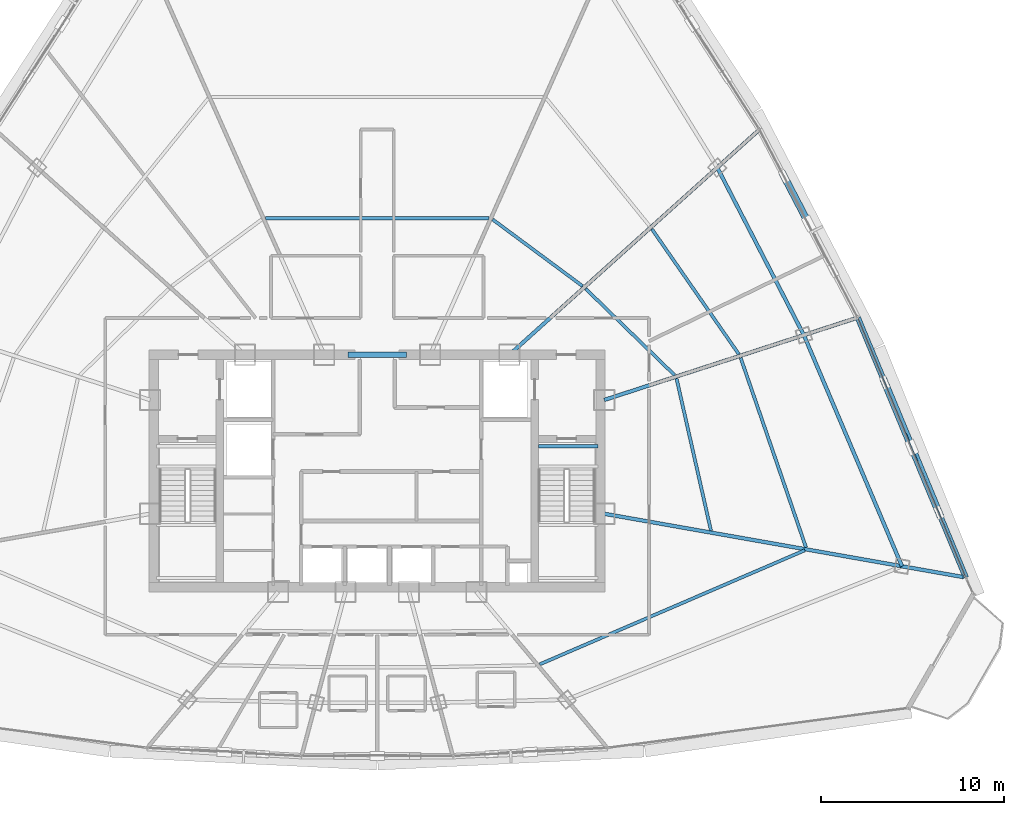
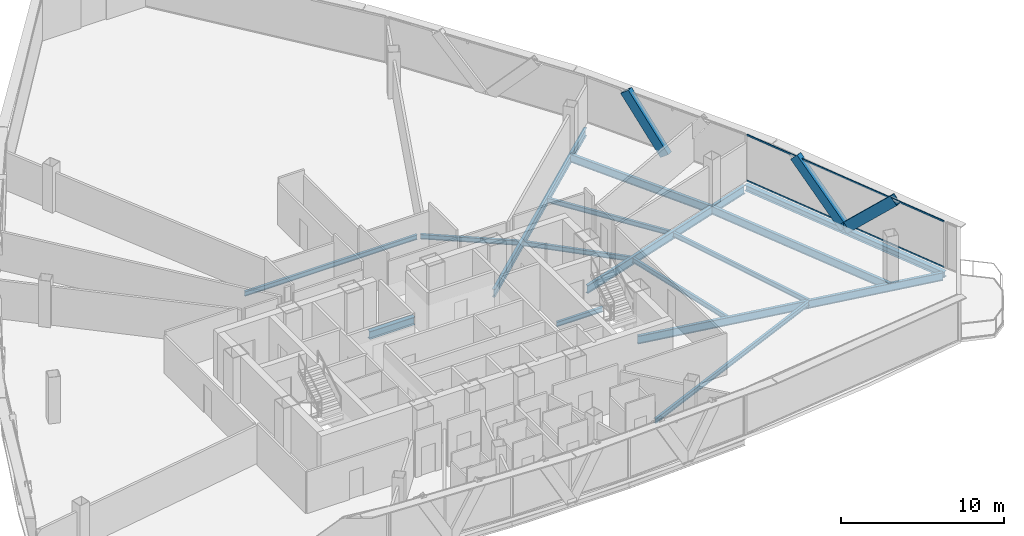
# One storey, part 15 of 37: 15 beams, 5 members, 1 element without a shape of its own.
"""IFC4 building model written with IfcOpenShell, lengths in metres."""

import ifcopenshell
import ifcopenshell.guid

model = None  # the IFC model being written
_history = None  # IfcOwnerHistory: only IFC2X3 demands one
_inside = {}  # id of a spatial element -> (the spatial element, [elements in it])
_under = {}  # id of a project, library or spatial element -> (it, [spatial elements below it])
_declared = {}  # id of a project -> (the project, [libraries it declares])
_typed = {}  # id of a type object -> (the type object, [elements of that type])
_made_of = {}  # id of a material, layer set ... -> (it, [elements and type objects made of it])


def new_model(schema):
    """Start an empty IFC model of exactly this schema.

    Asked for "IFC4X3", IfcOpenShell would pick the latest addendum, in which some entities
    have other attributes; the version numbers below select the first issue.
    IFC2X3 requires an IfcOwnerHistory on every rooted entity: one is made here for all.
    """
    global model, _history
    if schema == "IFC4X3":
        model = ifcopenshell.file(schema_version=(4, 3, 0, 0))
    else:
        model = ifcopenshell.file(schema=schema)
    _inside.clear()
    _under.clear()
    _declared.clear()
    _typed.clear()
    _made_of.clear()
    _history = None
    if model.schema == "IFC2X3":
        org = make("IfcOrganization", Name="unknown")
        user = make(
            "IfcPersonAndOrganization",
            ThePerson=make("IfcPerson", FamilyName="unknown"),
            TheOrganization=org,
        )
        app = make(
            "IfcApplication",
            ApplicationDeveloper=org,
            Version="unknown",
            ApplicationFullName="unknown",
            ApplicationIdentifier="unknown",
        )
        _history = make(
            "IfcOwnerHistory",
            OwningUser=user,
            OwningApplication=app,
            ChangeAction="ADDED",
            CreationDate=0,
        )
    return model


def make(cls, **values):
    """One entity of the class cls with the attributes given. An attribute that is None is left unset."""
    return model.create_entity(
        cls, **{name: value for name, value in values.items() if value is not None}
    )


def rooted(cls, **values):
    """An entity with a GlobalId (a new one), such as an element, a storey or a relation."""
    return make(cls, GlobalId=ifcopenshell.guid.new(), OwnerHistory=_history, **values)


def si_unit(unit_type, name, prefix=None):
    """IfcSIUnit, for example si_unit("LENGTHUNIT", "METRE", prefix="MILLI")."""
    return make("IfcSIUnit", UnitType=unit_type, Prefix=prefix, Name=name)


def assignment(units):
    """IfcUnitAssignment: the units of a project."""
    return None if units is None else make("IfcUnitAssignment", Units=units)


def point(xyz):
    """IfcCartesianPoint."""
    return None if xyz is None else make("IfcCartesianPoint", Coordinates=xyz)


def direction(xyz):
    """IfcDirection."""
    return None if xyz is None else make("IfcDirection", DirectionRatios=xyz)


def frame(location, z_axis=None, x_axis=None):
    """IfcAxis2Placement3D, a coordinate frame: its origin and axes. An axis left out is left unset."""
    return make(
        "IfcAxis2Placement3D",
        Location=point(location),
        Axis=direction(z_axis),
        RefDirection=direction(x_axis),
    )


def frame_2d(location, x_axis=None):
    """IfcAxis2Placement2D, a coordinate frame in the plane: its origin and x axis."""
    return make(
        "IfcAxis2Placement2D", Location=point(location), RefDirection=direction(x_axis)
    )


def origin():
    """The frame at (0, 0, 0) with its axes left unset."""
    return frame((0.0, 0.0, 0.0))


def origin_2d():
    """The frame at (0, 0) in the plane with its x axis left unset."""
    return frame_2d((0.0, 0.0))


def place(relative_to, where):
    """IfcLocalPlacement: puts the frame where relative to a parent placement (None: the world)."""
    return make(
        "IfcLocalPlacement", PlacementRelTo=relative_to, RelativePlacement=where
    )


def context(
    kind, dimensions, precision=None, world=None, true_north=None, identifier=None
):
    """IfcGeometricRepresentationContext, for example the 3D "Model" context."""
    return make(
        "IfcGeometricRepresentationContext",
        ContextIdentifier=identifier,
        ContextType=kind,
        CoordinateSpaceDimension=dimensions,
        Precision=precision,
        WorldCoordinateSystem=world,
        TrueNorth=true_north,
    )


def subcontext(parent, identifier, kind, view, scale=None):
    """IfcGeometricRepresentationSubContext, for example "Body" below "Model"."""
    return make(
        "IfcGeometricRepresentationSubContext",
        ContextIdentifier=identifier,
        ContextType=kind,
        ParentContext=parent,
        TargetScale=scale,
        TargetView=view,
    )


def project(units=None, contexts=None):
    """IfcProject with its units and contexts."""
    return rooted(
        "IfcProject",
        Name="project",
        RepresentationContexts=contexts,
        UnitsInContext=assignment(units),
    )


def spatial(cls, under=None, at=None, **own):
    """A site, building, storey or space (cls), placed at a placement, below another one or the project."""
    s = rooted(cls, ObjectPlacement=at, **own)
    if under is not None:
        _under.setdefault(under.id(), (under, []))[1].append(s)
    return s


def profile(cls, at=None, kind="AREA", **sizes):
    """A parametric profile (cls). Its sizes go by their IFC names, for example OverallWidth=200.0."""
    return make(cls, ProfileType=kind, Position=at, **sizes)


def hollow_rectangle(**sizes):
    """IfcRectangleHollowProfileDef."""
    return profile("IfcRectangleHollowProfileDef", **sizes)


def i_section(**sizes):
    """IfcIShapeProfileDef."""
    return profile("IfcIShapeProfileDef", **sizes)


def extrude(swept, where, along, depth):
    """IfcExtrudedAreaSolid: the profile swept, set in the frame where, extruded along a direction by depth."""
    return make(
        "IfcExtrudedAreaSolid",
        SweptArea=swept,
        Position=where,
        ExtrudedDirection=direction(along),
        Depth=depth,
    )


def shape(context_of_items, identifier, shape_type, items):
    """IfcShapeRepresentation: the items that make up one representation, for example the "Body"."""
    return make(
        "IfcShapeRepresentation",
        ContextOfItems=context_of_items,
        RepresentationIdentifier=identifier,
        RepresentationType=shape_type,
        Items=items,
    )


def source(mapping_origin, context_of_items, identifier, shape_type, items):
    """IfcRepresentationMap: a shape defined once, which mapped items show again and again."""
    return make(
        "IfcRepresentationMap",
        MappingOrigin=mapping_origin,
        MappedRepresentation=shape(context_of_items, identifier, shape_type, items),
    )


def transform(
    local_origin,
    x_axis=None,
    y_axis=None,
    z_axis=None,
    scale=None,
    scale2=None,
    scale3=None,
    uniform=True,
):
    """IfcCartesianTransformationOperator3D, or its non-uniform kind. x_axis, y_axis, z_axis: its Axis1, 2, 3."""
    if uniform:
        return make(
            "IfcCartesianTransformationOperator3D",
            Axis1=direction(x_axis),
            Axis2=direction(y_axis),
            LocalOrigin=point(local_origin),
            Scale=scale,
            Axis3=direction(z_axis),
        )
    return make(
        "IfcCartesianTransformationOperator3DnonUniform",
        Axis1=direction(x_axis),
        Axis2=direction(y_axis),
        LocalOrigin=point(local_origin),
        Scale=scale,
        Axis3=direction(z_axis),
        Scale2=scale2,
        Scale3=scale3,
    )


def mapped(mapping_source, mapping_target):
    """IfcMappedItem: shows the shape of a source again, moved by a transform."""
    return make(
        "IfcMappedItem", MappingSource=mapping_source, MappingTarget=mapping_target
    )


def material(Name=None, Category=None):
    """IfcMaterial."""
    return make("IfcMaterial", Name=Name, Category=Category)


def layer(
    of_material, thickness, ventilated=None, Name=None, Category=None, Priority=None
):
    """IfcMaterialLayer: one layer of a wall or slab, of a material (None: an air gap)."""
    return make(
        "IfcMaterialLayer",
        Material=of_material,
        LayerThickness=thickness,
        IsVentilated=ventilated,
        Name=Name,
        Category=Category,
        Priority=Priority,
    )


def layer_set(layers, Name=None):
    """IfcMaterialLayerSet."""
    return make("IfcMaterialLayerSet", MaterialLayers=layers, LayerSetName=Name)


def material_profile(
    of_material, cross_section, Name=None, Category=None, Priority=None
):
    """IfcMaterialProfile: a cross section and its material."""
    return make(
        "IfcMaterialProfile",
        Name=Name,
        Material=of_material,
        Profile=cross_section,
        Priority=Priority,
        Category=Category,
    )


def profile_set(profiles, Name=None, composite=None):
    """IfcMaterialProfileSet."""
    return make(
        "IfcMaterialProfileSet",
        Name=Name,
        MaterialProfiles=profiles,
        CompositeProfile=composite,
    )


def made_of(thing, what):
    """Note that an element or type object is made of a material, layer set ...; save() writes the relation."""
    if what is not None:
        _made_of.setdefault(what.id(), (what, []))[1].append(thing)
    return thing


def type_object(cls, material=None, **own):
    """A type object (cls), such as IfcWallType, which elements share."""
    return made_of(rooted(cls, **own), material)


def element(
    cls,
    number,
    at=None,
    inside=None,
    cuts=None,
    type_object=None,
    material=None,
    context=None,
    identifier="Body",
    shape_type=None,
    held_by="IfcProductDefinitionShape",
    body=None,
    shapes=None,
    **own,
):
    """One element of the class cls, such as IfcWall. Its Tag is "e" and its number.

    at: its placement. inside: the storey or other place that contains it. cuts: it is an
    opening in that element (IfcRelVoidsElement). A single representation is given by context,
    identifier, shape_type and body (its items); several are given by shapes. held_by: the class
    of the entity that holds the representations. save() writes the other relations.
    """
    e = rooted(cls, Tag="e%d" % number, ObjectPlacement=at, **own)
    if body is not None:
        shapes = [shape(context, identifier, shape_type, body)]
    if shapes is not None:
        e.Representation = make(held_by, Representations=shapes)
    if inside is not None:
        _inside.setdefault(inside.id(), (inside, []))[1].append(e)
    if cuts is not None:
        rooted(
            "IfcRelVoidsElement", RelatingBuildingElement=cuts, RelatedOpeningElement=e
        )
    if type_object is not None:
        _typed.setdefault(type_object.id(), (type_object, []))[1].append(e)
    return made_of(e, material)


def aggregate(whole, parts):
    """IfcRelAggregates: a whole, such as a stair, and the parts it consists of."""
    return rooted("IfcRelAggregates", RelatingObject=whole, RelatedObjects=parts)


def save(model, path):
    """Write the relations noted so far, then the file.

    IfcRelAggregates (storeys below a building ...), IfcRelContainedInSpatialStructure (elements
    in a storey), IfcRelDefinesByType, IfcRelAssociatesMaterial and IfcRelDeclares: one each for
    every whole, place, type object, material and project.
    """
    for whole, parts in _under.values():
        aggregate(whole, parts)
    for where, things in _inside.values():
        rooted(
            "IfcRelContainedInSpatialStructure",
            RelatedElements=things,
            RelatingStructure=where,
        )
    for kind, things in _typed.values():
        rooted("IfcRelDefinesByType", RelatedObjects=things, RelatingType=kind)
    for what, things in _made_of.values():
        rooted("IfcRelAssociatesMaterial", RelatedObjects=things, RelatingMaterial=what)
    for by, libraries in _declared.values():
        rooted("IfcRelDeclares", RelatingContext=by, RelatedDefinitions=libraries)
    model.write(path)


model = new_model("IFC4")

# Units and contexts
model_context = context("Model", 3, precision=1e-05, world=origin(), true_north=direction((0.0, 1.0)))
body_context = subcontext(model_context, "Body", "Model", "MODEL_VIEW")
ifc_project = project(units=[si_unit("LENGTHUNIT", "METRE"), si_unit("AREAUNIT", "SQUARE_METRE"), si_unit("VOLUMEUNIT", "CUBIC_METRE"), si_unit("PLANEANGLEUNIT", "RADIAN"), si_unit("MASSUNIT", "GRAM", prefix="KILO"), si_unit("THERMODYNAMICTEMPERATUREUNIT", "KELVIN"), si_unit("POWERUNIT", "WATT")], contexts=[model_context])

# Site, building, storey
site_placement = place(None, origin())
site = spatial("IfcSite", under=ifc_project, at=site_placement, CompositionType="ELEMENT")
building_placement = place(site_placement, origin())
building = spatial("IfcBuilding", under=site, at=building_placement, Name="Yunzhuo Pagoda Commons", CompositionType="ELEMENT")
storey_placement = place(building_placement, frame((0.0, 0.0, 281.2900390625)))
storey = spatial("IfcBuildingStorey", under=building, at=storey_placement, Name="L70", CompositionType="ELEMENT", Elevation=281.2900390625)

# Beams
ifc_material_1 = material(Name="Structural steel Q355B", Category="steel")
ifc_material_profile_1 = material_profile(ifc_material_1, i_section(OverallWidth=0.175048828125, OverallDepth=0.35009765625, WebThickness=0.007080078125, FlangeThickness=0.010986328125, at=origin_2d()), Name="Structural steel Q355B")
ifc_profile_set_1 = profile_set([ifc_material_profile_1], Name="Structural steel Q355B")
beam_type_1 = type_object("IfcBeamType", Name="B-JS2 Joist HN 350x175x7x11", PredefinedType="JOIST", material=ifc_profile_set_1)
shared_shape_1 = source(origin(), body_context, "Body", "SweptSolid", [
    extrude(i_section(OverallWidth=0.175048828125, OverallDepth=0.35009765625, WebThickness=0.007080078125, FlangeThickness=0.010986328125, at=origin_2d()), origin(), (0.0, 0.0, 1.0), 3.25),
])
beam_1_placement = place(storey_placement, frame((56.800048828125, 35.199951171875, -0.375), z_axis=(1.0, 0.0, 0.0), x_axis=(0.0, 1.0, 0.0)))
element("IfcBeam", 1, at=beam_1_placement, inside=storey, type_object=beam_type_1, Name="L70 ST2 landing support beam 174B", PredefinedType="JOIST", context=body_context, shape_type="MappedRepresentation", body=[
    mapped(shared_shape_1, transform((0.0, 0.0, 0.0), scale=1.0)),
])
ifc_material_2 = material(Name="Structural steel Q420B", Category="steel")
ifc_material_profile_2 = material_profile(ifc_material_2, i_section(OverallWidth=0.300048828125, OverallDepth=0.587890625, WebThickness=0.011962890625, FlangeThickness=0.02001953125, at=origin_2d()), Name="Structural steel Q420B")
ifc_profile_set_2 = profile_set([ifc_material_profile_2], Name="Structural steel Q420B")
beam_type_2 = type_object("IfcBeamType", Name="B-CPL Beam HM 588x300x12x20", PredefinedType="BEAM", material=ifc_profile_set_2)
shared_shape_2 = source(origin(), body_context, "Body", "SweptSolid", [
    extrude(i_section(OverallWidth=0.300048828125, OverallDepth=0.587890625, WebThickness=0.011962890625, FlangeThickness=0.02001953125, at=origin_2d()), origin(), (0.0, 0.0, 1.0), 3.2001953125),
])
beam_2_placement = place(storey_placement, frame((46.39990234375, 40.199951171875, -0.553955078125), z_axis=(1.0, 0.0, 0.0), x_axis=(0.0, 1.0, 0.0)))
element("IfcBeam", 2, at=beam_2_placement, inside=storey, type_object=beam_type_2, Name="L70 core coupling girder", PredefinedType="BEAM", context=body_context, shape_type="MappedRepresentation", body=[
    mapped(shared_shape_2, transform((0.0, 0.0, 0.0), scale=1.0)),
])
ifc_material_profile_3 = material_profile(ifc_material_1, i_section(OverallWidth=0.300048828125, OverallDepth=0.43994140625, WebThickness=0.010986328125, FlangeThickness=0.01806640625, at=origin_2d()), Name="Structural steel Q355B")
ifc_profile_set_3 = profile_set([ifc_material_profile_3], Name="Structural steel Q355B")
beam_type_3 = type_object("IfcBeamType", Name="B-SP2 Beam HM 440x300x11x18", PredefinedType="BEAM", material=ifc_profile_set_3)
shared_shape_3 = source(origin(), body_context, "Body", "SweptSolid", [
    extrude(i_section(OverallWidth=0.300048828125, OverallDepth=0.43994140625, WebThickness=0.010986328125, FlangeThickness=0.01806640625, at=origin_2d()), origin(), (0.0, 0.0, 1.0), 15.37548828125),
])
beam_3_placement = place(storey_placement, frame((80.150390625, 28.031005859375, -0.47998046875), z_axis=(-0.383865486512, 0.923389023253, 0.0), x_axis=(-0.923389023253, -0.383865486512, 0.0)))
element("IfcBeam", 3, at=beam_3_placement, inside=storey, type_object=beam_type_3, Name="L70 facade edge spandrel beam F2.1", PredefinedType="BEAM", context=body_context, shape_type="MappedRepresentation", body=[
    mapped(shared_shape_3, transform((0.0, 0.0, 0.0), scale=1.0)),
])
ifc_material_profile_4 = material_profile(ifc_material_1, i_section(OverallWidth=0.199951171875, OverallDepth=0.60009765625, WebThickness=0.010986328125, FlangeThickness=0.01708984375, at=origin_2d()), Name="Structural steel Q355B")
ifc_profile_set_4 = profile_set([ifc_material_profile_4], Name="Structural steel Q355B")
beam_type_4 = type_object("IfcBeamType", Name="B-RG3 Beam HN 600x200x11x17", PredefinedType="BEAM", material=ifc_profile_set_4)
shared_shape_4 = source(origin(), body_context, "Body", "SweptSolid", [
    extrude(i_section(OverallWidth=0.199951171875, OverallDepth=0.60009765625, WebThickness=0.010986328125, FlangeThickness=0.01708984375, at=origin_2d()), origin(), (0.0, 0.0, 1.0), 19.89990234375),
])
beam_4_placement = place(storey_placement, frame((79.99755859375, 28.058349609375, -0.559814453125), z_axis=(-0.984812199238, 0.173622959981, 0.0), x_axis=(-0.173622959981, -0.984812199238, 0.0)))
element("IfcBeam", 4, at=beam_4_placement, inside=storey, type_object=beam_type_4, Name="L70 radial floor girder F2C1", PredefinedType="BEAM", context=body_context, shape_type="MappedRepresentation", body=[
    mapped(shared_shape_4, transform((0.0, 0.0, 0.0), scale=1.0)),
])
shared_shape_5 = source(origin(), body_context, "Body", "SweptSolid", [
    extrude(i_section(OverallWidth=0.199951171875, OverallDepth=0.60009765625, WebThickness=0.010986328125, FlangeThickness=0.01708984375, at=origin_2d()), origin(), (0.0, 0.0, 1.0), 14.406005859375),
])
beam_5_placement = place(storey_placement, frame((74.100830078125, 42.1806640625, -0.559814453125), z_axis=(-0.951057355196, -0.309014412492, 0.0), x_axis=(0.309014412492, -0.951057355196, 0.0)))
element("IfcBeam", 5, at=beam_5_placement, inside=storey, type_object=beam_type_4, Name="L70 radial floor girder F2C2", PredefinedType="BEAM", context=body_context, shape_type="MappedRepresentation", body=[
    mapped(shared_shape_5, transform((0.0, 0.0, 0.0), scale=1.0)),
])
shared_shape_6 = source(origin(), body_context, "Body", "SweptSolid", [
    extrude(i_section(OverallWidth=0.199951171875, OverallDepth=0.60009765625, WebThickness=0.010986328125, FlangeThickness=0.01708984375, at=origin_2d()), origin(), (0.0, 0.0, 1.0), 18.2314453125),
])
beam_6_placement = place(storey_placement, frame((68.767578125, 52.399169921875, -0.559814453125), z_axis=(-0.743144309, -0.669131179964, 0.0), x_axis=(0.669131179964, -0.743144309, 0.0)))
element("IfcBeam", 6, at=beam_6_placement, inside=storey, type_object=beam_type_4, Name="L70 radial floor girder F2C3", PredefinedType="BEAM", context=body_context, shape_type="MappedRepresentation", body=[
    mapped(shared_shape_6, transform((0.0, 0.0, 0.0), scale=1.0)),
])
shared_shape_7 = source(origin(), body_context, "Body", "SweptSolid", [
    extrude(i_section(OverallWidth=0.175048828125, OverallDepth=0.35009765625, WebThickness=0.007080078125, FlangeThickness=0.010986328125, at=origin_2d()), origin(), (0.0, 0.0, 1.0), 15.757080078125),
])
beam_7_placement = place(storey_placement, frame((56.8779296875, 23.291259765625, -0.434814453125), z_axis=(0.918592756952, 0.395205448945, 0.0), x_axis=(-0.395205448945, 0.918592756952, 0.0)))
element("IfcBeam", 7, at=beam_7_placement, inside=storey, type_object=beam_type_1, Name="L70 composite ring joist 2.4", PredefinedType="JOIST", context=body_context, shape_type="MappedRepresentation", body=[
    mapped(shared_shape_7, transform((0.0, 0.0, 0.0), scale=1.0)),
])
shared_shape_8 = source(origin(), body_context, "Body", "SweptSolid", [
    extrude(i_section(OverallWidth=0.199951171875, OverallDepth=0.60009765625, WebThickness=0.010986328125, FlangeThickness=0.01708984375, at=origin_2d()), origin(), (0.0, 0.0, 1.0), 13.715576171875),
])
beam_8_placement = place(storey_placement, frame((76.66162109375, 28.646240234375, -0.559814453125), z_axis=(-0.390733146992, 0.920503996646, 0.0), x_axis=(-0.920503996646, -0.390733146992, 0.0)))
element("IfcBeam", 8, at=beam_8_placement, inside=storey, type_object=beam_type_4, Name="L70 column-ring beam 5", PredefinedType="BEAM", context=body_context, shape_type="MappedRepresentation", body=[
    mapped(shared_shape_8, transform((0.0, 0.0, 0.0), scale=1.0)),
])
shared_shape_9 = source(origin(), body_context, "Body", "SweptSolid", [
    extrude(i_section(OverallWidth=0.175048828125, OverallDepth=0.35009765625, WebThickness=0.007080078125, FlangeThickness=0.010986328125, at=origin_2d()), origin(), (0.0, 0.0, 1.0), 8.508544921875),
])
beam_9_placement = place(storey_placement, frame((66.228759765625, 30.593505859375, -0.434814453125), z_axis=(-0.220769003385, 0.975326123481, 0.0), x_axis=(-0.975326123481, -0.220769003385, 0.0)))
element("IfcBeam", 9, at=beam_9_placement, inside=storey, type_object=beam_type_1, Name="L70 composite ring joist 1.5", PredefinedType="JOIST", context=body_context, shape_type="MappedRepresentation", body=[
    mapped(shared_shape_9, transform((0.0, 0.0, 0.0), scale=1.0)),
])
shared_shape_10 = source(origin(), body_context, "Body", "SweptSolid", [
    extrude(i_section(OverallWidth=0.175048828125, OverallDepth=0.35009765625, WebThickness=0.007080078125, FlangeThickness=0.010986328125, at=origin_2d()), origin(), (0.0, 0.0, 1.0), 10.954345703125),
])
beam_10_placement = place(storey_placement, frame((71.42041015625, 29.672607421875, -0.434814453125), z_axis=(-0.325839571137, 0.945425075763, 0.0), x_axis=(-0.945425075763, -0.325839571137, 0.0)))
element("IfcBeam", 10, at=beam_10_placement, inside=storey, type_object=beam_type_1, Name="L70 composite ring joist 2.5", PredefinedType="JOIST", context=body_context, shape_type="MappedRepresentation", body=[
    mapped(shared_shape_10, transform((0.0, 0.0, 0.0), scale=1.0)),
])
shared_shape_11 = source(origin(), body_context, "Body", "SweptSolid", [
    extrude(i_section(OverallWidth=0.199951171875, OverallDepth=0.60009765625, WebThickness=0.010986328125, FlangeThickness=0.01708984375, at=origin_2d()), origin(), (0.0, 0.0, 1.0), 10.3017578125),
])
beam_11_placement = place(storey_placement, frame((71.302490234375, 41.271484375, -0.559814453125), z_axis=(-0.459070867827, 0.888399650108, 0.0), x_axis=(-0.888399650108, -0.459070867827, 0.0)))
element("IfcBeam", 11, at=beam_11_placement, inside=storey, type_object=beam_type_4, Name="L70 column-ring beam 6", PredefinedType="BEAM", context=body_context, shape_type="MappedRepresentation", body=[
    mapped(shared_shape_11, transform((0.0, 0.0, 0.0), scale=1.0)),
])
shared_shape_12 = source(origin(), body_context, "Body", "SweptSolid", [
    extrude(i_section(OverallWidth=0.175048828125, OverallDepth=0.35009765625, WebThickness=0.007080078125, FlangeThickness=0.010986328125, at=origin_2d()), origin(), (0.0, 0.0, 1.0), 6.767333984375),
])
beam_12_placement = place(storey_placement, frame((64.242431640625, 39.08447265625, -0.434814453125), z_axis=(-0.717207253673, 0.696859925149, 0.0), x_axis=(-0.696859925149, -0.717207253673, 0.0)))
element("IfcBeam", 12, at=beam_12_placement, inside=storey, type_object=beam_type_1, Name="L70 composite ring joist 1.6", PredefinedType="JOIST", context=body_context, shape_type="MappedRepresentation", body=[
    mapped(shared_shape_12, transform((0.0, 0.0, 0.0), scale=1.0)),
])
shared_shape_13 = source(origin(), body_context, "Body", "SweptSolid", [
    extrude(i_section(OverallWidth=0.175048828125, OverallDepth=0.35009765625, WebThickness=0.007080078125, FlangeThickness=0.010986328125, at=origin_2d()), origin(), (0.0, 0.0, 1.0), 8.31103515625),
])
beam_13_placement = place(storey_placement, frame((67.748046875, 40.232421875, -0.434814453125), z_axis=(-0.570615989364, 0.821217019236, 0.0), x_axis=(-0.821217019236, -0.570615989364, 0.0)))
element("IfcBeam", 13, at=beam_13_placement, inside=storey, type_object=beam_type_1, Name="L70 composite ring joist 2.6", PredefinedType="JOIST", context=body_context, shape_type="MappedRepresentation", body=[
    mapped(shared_shape_13, transform((0.0, 0.0, 0.0), scale=1.0)),
])
shared_shape_14 = source(origin(), body_context, "Body", "SweptSolid", [
    extrude(i_section(OverallWidth=0.175048828125, OverallDepth=0.35009765625, WebThickness=0.007080078125, FlangeThickness=0.010986328125, at=origin_2d()), origin(), (0.0, 0.0, 1.0), 6.109619140625),
])
beam_14_placement = place(storey_placement, frame((59.214111328125, 43.948974609375, -0.434814453125), z_axis=(-0.803396474468, 0.595444459888, 0.0), x_axis=(-0.595444459888, -0.803396474468, 0.0)))
element("IfcBeam", 14, at=beam_14_placement, inside=storey, type_object=beam_type_1, Name="L70 composite ring joist 1.7", PredefinedType="JOIST", context=body_context, shape_type="MappedRepresentation", body=[
    mapped(shared_shape_14, transform((0.0, 0.0, 0.0), scale=1.0)),
])
shared_shape_15 = source(origin(), body_context, "Body", "SweptSolid", [
    extrude(i_section(OverallWidth=0.175048828125, OverallDepth=0.35009765625, WebThickness=0.007080078125, FlangeThickness=0.010986328125, at=origin_2d()), origin(), (0.0, 0.0, 1.0), 12.19677734375),
])
beam_15_placement = place(storey_placement, frame((54.098388671875, 47.6552734375, -0.434814453125), z_axis=(-1.0, 0.0, 0.0), x_axis=(0.0, -1.0, 0.0)))
element("IfcBeam", 15, at=beam_15_placement, inside=storey, type_object=beam_type_1, Name="L70 composite ring joist 1.8", PredefinedType="JOIST", context=body_context, shape_type="MappedRepresentation", body=[
    mapped(shared_shape_15, transform((0.0, 0.0, 0.0), scale=1.0)),
])

# Members
ifc_material_profile_5 = material_profile(ifc_material_1, hollow_rectangle(XDim=0.3798828125, YDim=0.719970703125, WallThickness=0.02001953125, at=origin_2d()), Name="Structural steel Q355B")
ifc_profile_set_5 = profile_set([ifc_material_profile_5], Name="Structural steel Q355B")
member_type_1 = type_object("IfcMemberType", Name="M-DL3 Brace BOX 720x380x20", PredefinedType="BRACE", material=ifc_profile_set_5)
shared_shape_16 = source(origin(), body_context, "Body", "SweptSolid", [
    extrude(hollow_rectangle(XDim=0.3798828125, YDim=0.719970703125, WallThickness=0.02001953125, at=origin_2d()), origin(), (0.0, 0.0, 1.0), 5.356201171875),
])
member_1_placement = place(storey_placement, frame((77.19921875, 35.1298828125, -0.260009765625), z_axis=(0.275496588463, -0.662668663645, 0.696399218817), x_axis=(0.923381054941, 0.383884653739, 0.0)))
element("IfcMember", 16, at=member_1_placement, inside=storey, type_object=member_type_1, Name="L70 facade diamond brace F2.1L", PredefinedType="BRACE", context=body_context, shape_type="MappedRepresentation", body=[
    mapped(shared_shape_16, transform((0.0, 0.0, 0.0), scale=1.0)),
])
shared_shape_17 = source(origin(), body_context, "Body", "SweptSolid", [
    extrude(hollow_rectangle(XDim=0.3798828125, YDim=0.719970703125, WallThickness=0.02001953125, at=origin_2d()), origin(), (0.0, 0.0, 1.0), 5.35595703125),
])
member_2_placement = place(storey_placement, frame((77.19921875, 35.1298828125, -0.260009765625), z_axis=(-0.27545446542, 0.662676984667, 0.696407963388), x_axis=(-0.923403568179, -0.383830496802, 0.0)))
element("IfcMember", 17, at=member_2_placement, inside=storey, type_object=member_type_1, Name="L70 facade diamond brace F2.1R", PredefinedType="BRACE", context=body_context, shape_type="MappedRepresentation", body=[
    mapped(shared_shape_17, transform((0.0, 0.0, 0.0), scale=1.0)),
])
shared_shape_18 = source(origin(), body_context, "Body", "SweptSolid", [
    extrude(hollow_rectangle(XDim=0.3798828125, YDim=0.719970703125, WallThickness=0.02001953125, at=origin_2d()), origin(), (0.0, 0.0, 1.0), 4.723388671875),
])
member_3_placement = place(storey_placement, frame((71.5654296875, 47.36572265625, -0.260009765625), z_axis=(-0.283976852439, 0.543815155536, 0.78969755216), x_axis=(-0.886419539705, -0.462882706125, 0.0)))
element("IfcMember", 18, at=member_3_placement, inside=storey, type_object=member_type_1, Name="L70 facade diamond brace F2.2R", PredefinedType="BRACE", context=body_context, shape_type="MappedRepresentation", body=[
    mapped(shared_shape_18, transform((0.0, 0.0, 0.0), scale=1.0)),
])

# Curtain wall, members
ifc_material_3 = material(Name="Anodized aluminium 6063-T6", Category="aluminium")
ifc_layer = layer(ifc_material_3, 0.139892578125)
ifc_layer_set = layer_set([ifc_layer], Name="Anodized aluminium 6063-T6")
curtain_wall_type = type_object("IfcCurtainWallType", Name="CW-HI High-Zone Ribbon Curtain Wall", PredefinedType="NOTDEFINED", material=ifc_layer_set)
curtain_wall_placement = place(storey_placement, origin())
curtain_wall = element("IfcCurtainWall", 19, at=curtain_wall_placement, inside=storey, type_object=curtain_wall_type, Name="L70 curtain wall CW-L70-F2B2", PredefinedType="NOTDEFINED")
ifc_material_profile_6 = material_profile(ifc_material_3, hollow_rectangle(XDim=0.054931640625, YDim=0.1201171875, WallThickness=0.00341796875, at=origin_2d()), Name="Anodized aluminium 6063-T6")
ifc_profile_set_6 = profile_set([ifc_material_profile_6], Name="Anodized aluminium 6063-T6")
member_type_2 = type_object("IfcMemberType", Name="CW-HI-T Transom RHS 120x55x3.5", PredefinedType="USERDEFINED", material=ifc_profile_set_6)
shared_shape_19 = source(origin(), body_context, "Body", "SweptSolid", [
    extrude(hollow_rectangle(XDim=0.054931640625, YDim=0.1201171875, WallThickness=0.00341796875, at=origin_2d()), origin(), (0.0, 0.0, 1.0), 15.25537109375),
])
member_4_placement = place(storey_placement, frame((80.127197265625, 28.08642578125, 0.02734375), z_axis=(-0.383861857229, 0.923390531988, 0.0), x_axis=(-0.923390531988, -0.383861857229, 0.0)))
member_4 = element("IfcMember", 20, at=member_4_placement, type_object=member_type_2, Name="CW transom 1.1", ObjectType="TRANSOM", PredefinedType="USERDEFINED", context=body_context, shape_type="MappedRepresentation", body=[
    mapped(shared_shape_19, transform((0.0, 0.0, 0.0), scale=1.0)),
])
member_5_placement = place(storey_placement, frame((80.127197265625, 28.08642578125, 3.4423828125), z_axis=(-0.383861857229, 0.923390531988, 0.0), x_axis=(-0.923390531988, -0.383861857229, 0.0)))
member_5 = element("IfcMember", 21, at=member_5_placement, type_object=member_type_2, Name="CW transom 1.2", ObjectType="TRANSOM", PredefinedType="USERDEFINED", context=body_context, shape_type="MappedRepresentation", body=[
    mapped(shared_shape_19, transform((0.0, 0.0, 0.0), scale=1.0)),
])
aggregate(curtain_wall, [member_4, member_5])

save(model, "model.ifc")
